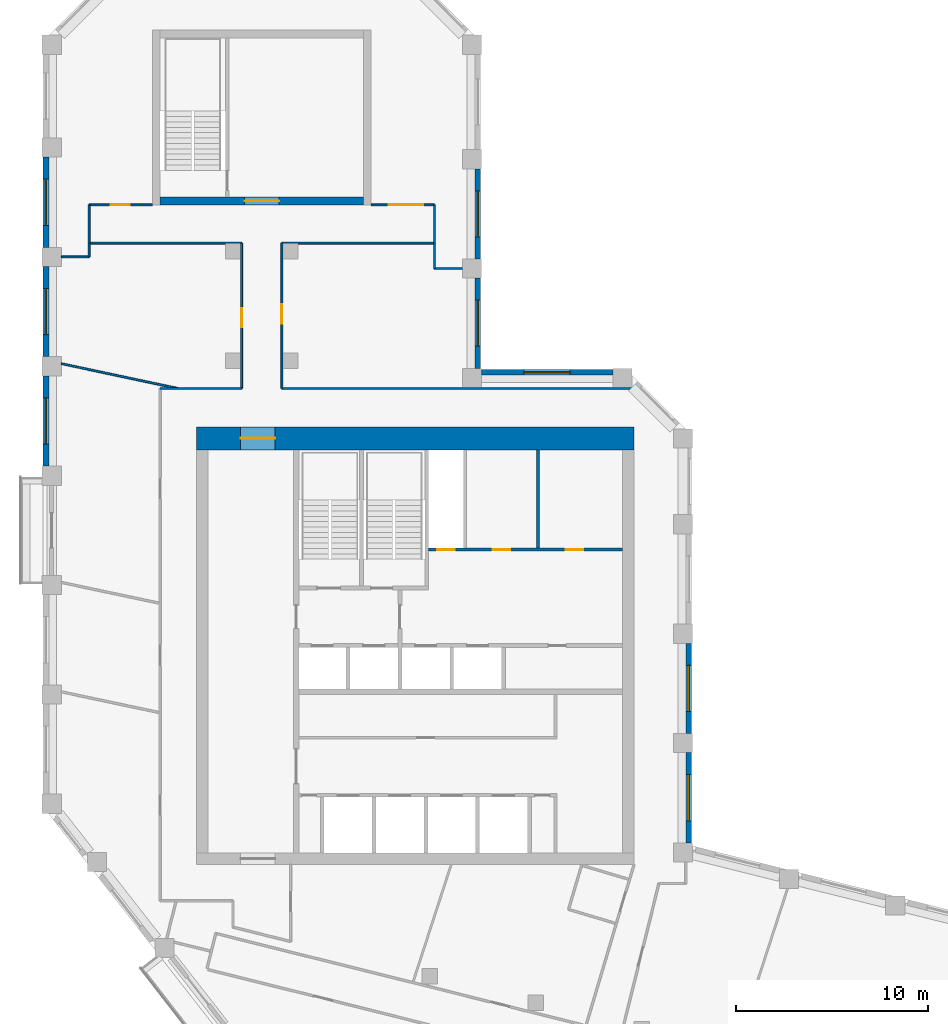
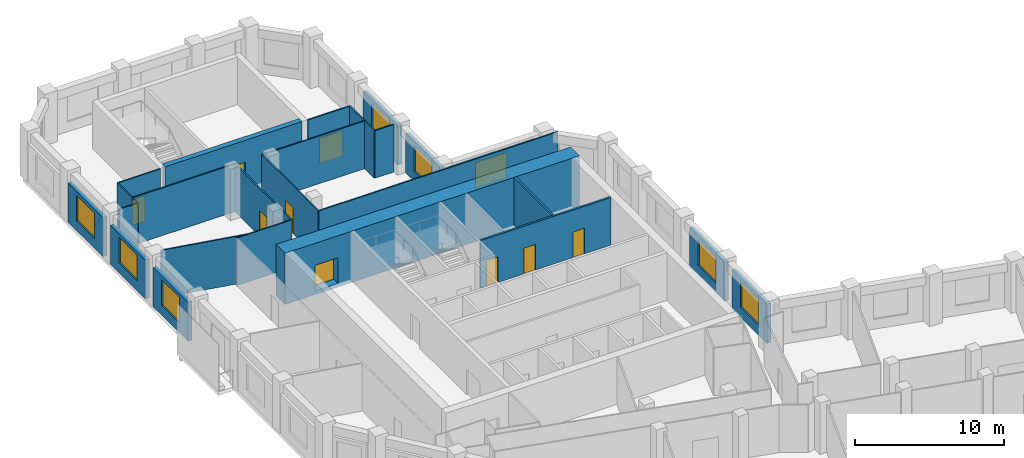
# One storey, part 6 of 9: 27 walls, 9 doors, 8 windows, 17 openings.
"""IFC4 building model written with IfcOpenShell, lengths in metres."""

import ifcopenshell
import ifcopenshell.guid

model = None  # the IFC model being written
_history = None  # IfcOwnerHistory: only IFC2X3 demands one
_inside = {}  # id of a spatial element -> (the spatial element, [elements in it])
_under = {}  # id of a project, library or spatial element -> (it, [spatial elements below it])
_declared = {}  # id of a project -> (the project, [libraries it declares])
_typed = {}  # id of a type object -> (the type object, [elements of that type])
_made_of = {}  # id of a material, layer set ... -> (it, [elements and type objects made of it])


def new_model(schema):
    """Start an empty IFC model of exactly this schema.

    Asked for "IFC4X3", IfcOpenShell would pick the latest addendum, in which some entities
    have other attributes; the version numbers below select the first issue.
    IFC2X3 requires an IfcOwnerHistory on every rooted entity: one is made here for all.
    """
    global model, _history
    if schema == "IFC4X3":
        model = ifcopenshell.file(schema_version=(4, 3, 0, 0))
    else:
        model = ifcopenshell.file(schema=schema)
    _inside.clear()
    _under.clear()
    _declared.clear()
    _typed.clear()
    _made_of.clear()
    _history = None
    if model.schema == "IFC2X3":
        org = make("IfcOrganization", Name="unknown")
        user = make(
            "IfcPersonAndOrganization",
            ThePerson=make("IfcPerson", FamilyName="unknown"),
            TheOrganization=org,
        )
        app = make(
            "IfcApplication",
            ApplicationDeveloper=org,
            Version="unknown",
            ApplicationFullName="unknown",
            ApplicationIdentifier="unknown",
        )
        _history = make(
            "IfcOwnerHistory",
            OwningUser=user,
            OwningApplication=app,
            ChangeAction="ADDED",
            CreationDate=0,
        )
    return model


def make(cls, **values):
    """One entity of the class cls with the attributes given. An attribute that is None is left unset."""
    return model.create_entity(
        cls, **{name: value for name, value in values.items() if value is not None}
    )


def rooted(cls, **values):
    """An entity with a GlobalId (a new one), such as an element, a storey or a relation."""
    return make(cls, GlobalId=ifcopenshell.guid.new(), OwnerHistory=_history, **values)


def si_unit(unit_type, name, prefix=None):
    """IfcSIUnit, for example si_unit("LENGTHUNIT", "METRE", prefix="MILLI")."""
    return make("IfcSIUnit", UnitType=unit_type, Prefix=prefix, Name=name)


def assignment(units):
    """IfcUnitAssignment: the units of a project."""
    return None if units is None else make("IfcUnitAssignment", Units=units)


def point(xyz):
    """IfcCartesianPoint."""
    return None if xyz is None else make("IfcCartesianPoint", Coordinates=xyz)


def direction(xyz):
    """IfcDirection."""
    return None if xyz is None else make("IfcDirection", DirectionRatios=xyz)


def frame(location, z_axis=None, x_axis=None):
    """IfcAxis2Placement3D, a coordinate frame: its origin and axes. An axis left out is left unset."""
    return make(
        "IfcAxis2Placement3D",
        Location=point(location),
        Axis=direction(z_axis),
        RefDirection=direction(x_axis),
    )


def frame_2d(location, x_axis=None):
    """IfcAxis2Placement2D, a coordinate frame in the plane: its origin and x axis."""
    return make(
        "IfcAxis2Placement2D", Location=point(location), RefDirection=direction(x_axis)
    )


def origin():
    """The frame at (0, 0, 0) with its axes left unset."""
    return frame((0.0, 0.0, 0.0))


def place(relative_to, where):
    """IfcLocalPlacement: puts the frame where relative to a parent placement (None: the world)."""
    return make(
        "IfcLocalPlacement", PlacementRelTo=relative_to, RelativePlacement=where
    )


def context(
    kind, dimensions, precision=None, world=None, true_north=None, identifier=None
):
    """IfcGeometricRepresentationContext, for example the 3D "Model" context."""
    return make(
        "IfcGeometricRepresentationContext",
        ContextIdentifier=identifier,
        ContextType=kind,
        CoordinateSpaceDimension=dimensions,
        Precision=precision,
        WorldCoordinateSystem=world,
        TrueNorth=true_north,
    )


def subcontext(parent, identifier, kind, view, scale=None):
    """IfcGeometricRepresentationSubContext, for example "Body" below "Model"."""
    return make(
        "IfcGeometricRepresentationSubContext",
        ContextIdentifier=identifier,
        ContextType=kind,
        ParentContext=parent,
        TargetScale=scale,
        TargetView=view,
    )


def project(units=None, contexts=None):
    """IfcProject with its units and contexts."""
    return rooted(
        "IfcProject",
        Name="project",
        RepresentationContexts=contexts,
        UnitsInContext=assignment(units),
    )


def spatial(cls, under=None, at=None, **own):
    """A site, building, storey or space (cls), placed at a placement, below another one or the project."""
    s = rooted(cls, ObjectPlacement=at, **own)
    if under is not None:
        _under.setdefault(under.id(), (under, []))[1].append(s)
    return s


def profile(cls, at=None, kind="AREA", **sizes):
    """A parametric profile (cls). Its sizes go by their IFC names, for example OverallWidth=200.0."""
    return make(cls, ProfileType=kind, Position=at, **sizes)


def rectangle(**sizes):
    """IfcRectangleProfileDef."""
    return profile("IfcRectangleProfileDef", **sizes)


def extrude(swept, where, along, depth):
    """IfcExtrudedAreaSolid: the profile swept, set in the frame where, extruded along a direction by depth."""
    return make(
        "IfcExtrudedAreaSolid",
        SweptArea=swept,
        Position=where,
        ExtrudedDirection=direction(along),
        Depth=depth,
    )


def shape(context_of_items, identifier, shape_type, items):
    """IfcShapeRepresentation: the items that make up one representation, for example the "Body"."""
    return make(
        "IfcShapeRepresentation",
        ContextOfItems=context_of_items,
        RepresentationIdentifier=identifier,
        RepresentationType=shape_type,
        Items=items,
    )


def material(Name=None, Category=None):
    """IfcMaterial."""
    return make("IfcMaterial", Name=Name, Category=Category)


def layer(
    of_material, thickness, ventilated=None, Name=None, Category=None, Priority=None
):
    """IfcMaterialLayer: one layer of a wall or slab, of a material (None: an air gap)."""
    return make(
        "IfcMaterialLayer",
        Material=of_material,
        LayerThickness=thickness,
        IsVentilated=ventilated,
        Name=Name,
        Category=Category,
        Priority=Priority,
    )


def layer_set(layers, Name=None):
    """IfcMaterialLayerSet."""
    return make("IfcMaterialLayerSet", MaterialLayers=layers, LayerSetName=Name)


def made_of(thing, what):
    """Note that an element or type object is made of a material, layer set ...; save() writes the relation."""
    if what is not None:
        _made_of.setdefault(what.id(), (what, []))[1].append(thing)
    return thing


def type_object(cls, material=None, **own):
    """A type object (cls), such as IfcWallType, which elements share."""
    return made_of(rooted(cls, **own), material)


def element(
    cls,
    number,
    at=None,
    inside=None,
    cuts=None,
    type_object=None,
    material=None,
    context=None,
    identifier="Body",
    shape_type=None,
    held_by="IfcProductDefinitionShape",
    body=None,
    shapes=None,
    **own,
):
    """One element of the class cls, such as IfcWall. Its Tag is "e" and its number.

    at: its placement. inside: the storey or other place that contains it. cuts: it is an
    opening in that element (IfcRelVoidsElement). A single representation is given by context,
    identifier, shape_type and body (its items); several are given by shapes. held_by: the class
    of the entity that holds the representations. save() writes the other relations.
    """
    e = rooted(cls, Tag="e%d" % number, ObjectPlacement=at, **own)
    if body is not None:
        shapes = [shape(context, identifier, shape_type, body)]
    if shapes is not None:
        e.Representation = make(held_by, Representations=shapes)
    if inside is not None:
        _inside.setdefault(inside.id(), (inside, []))[1].append(e)
    if cuts is not None:
        rooted(
            "IfcRelVoidsElement", RelatingBuildingElement=cuts, RelatedOpeningElement=e
        )
    if type_object is not None:
        _typed.setdefault(type_object.id(), (type_object, []))[1].append(e)
    return made_of(e, material)


def fill(opening, filler):
    """IfcRelFillsElement: the door or window that sits in an opening."""
    return rooted(
        "IfcRelFillsElement",
        RelatingOpeningElement=opening,
        RelatedBuildingElement=filler,
    )


def aggregate(whole, parts):
    """IfcRelAggregates: a whole, such as a stair, and the parts it consists of."""
    return rooted("IfcRelAggregates", RelatingObject=whole, RelatedObjects=parts)


def save(model, path):
    """Write the relations noted so far, then the file.

    IfcRelAggregates (storeys below a building ...), IfcRelContainedInSpatialStructure (elements
    in a storey), IfcRelDefinesByType, IfcRelAssociatesMaterial and IfcRelDeclares: one each for
    every whole, place, type object, material and project.
    """
    for whole, parts in _under.values():
        aggregate(whole, parts)
    for where, things in _inside.values():
        rooted(
            "IfcRelContainedInSpatialStructure",
            RelatedElements=things,
            RelatingStructure=where,
        )
    for kind, things in _typed.values():
        rooted("IfcRelDefinesByType", RelatedObjects=things, RelatingType=kind)
    for what, things in _made_of.values():
        rooted("IfcRelAssociatesMaterial", RelatedObjects=things, RelatingMaterial=what)
    for by, libraries in _declared.values():
        rooted("IfcRelDeclares", RelatingContext=by, RelatedDefinitions=libraries)
    model.write(path)


model = new_model("IFC4")

# Units and contexts
model_context = context("Model", 3, precision=1e-05, world=origin(), true_north=direction((0.0, 1.0)))
body_context = subcontext(model_context, "Body", "Model", "MODEL_VIEW")
ifc_project = project(units=[si_unit("LENGTHUNIT", "METRE"), si_unit("AREAUNIT", "SQUARE_METRE"), si_unit("VOLUMEUNIT", "CUBIC_METRE"), si_unit("PLANEANGLEUNIT", "RADIAN"), si_unit("MASSUNIT", "GRAM", prefix="KILO")], contexts=[model_context])

# Site, building, storey
site_placement = place(None, origin())
site = spatial("IfcSite", under=ifc_project, at=site_placement, CompositionType="ELEMENT")
building_placement = place(site_placement, origin())
building = spatial("IfcBuilding", under=site, at=building_placement, Name="Meshkara Civic Tower", CompositionType="ELEMENT")
storey_placement = place(building_placement, frame((0.0, 0.0, 331.800048828125)))
storey = spatial("IfcBuildingStorey", under=building, at=storey_placement, Name="L76", CompositionType="ELEMENT", Elevation=331.800048828125)

# Wall, openings, doors
ifc_material_1 = material(Name="Blockwork", Category="masonry")
ifc_layer_1 = layer(ifc_material_1, 0.14990234375)
ifc_layer_set_1 = layer_set([ifc_layer_1], Name="Core partition 150")
wall_type_1 = type_object("IfcWallType", Name="Core partition 150", PredefinedType="PARTITIONING", material=ifc_layer_set_1)
wall_1_placement = place(storey_placement, frame((20.10009765625, 30.5, 0.0), z_axis=(0.0, 0.0, 1.0), x_axis=(1.0, 0.0, 0.0)))
wall_1 = element("IfcWall", 1, at=wall_1_placement, inside=storey, type_object=wall_type_1, Name="L76-C010", PredefinedType="PARTITIONING", context=body_context, shape_type="SweptSolid", body=[
    extrude(rectangle(XDim=10.099853515625, YDim=0.14990234375, at=frame_2d((5.0498046875, 0.0))), origin(), (0.0, 0.0, 1.0), 3.89990234375),
])
opening_1_placement = place(wall_1_placement, frame((0.449951171875, 0.0, 0.0)))
opening_1 = element("IfcOpeningElement", 2, at=opening_1_placement, cuts=wall_1, Name="Opening L76-K013", PredefinedType="OPENING", context=body_context, shape_type="SweptSolid", body=[
    extrude(rectangle(XDim=0.89990234375, YDim=2.10009765625, at=frame_2d((0.449951171875, 1.050048828125))), frame((0.0, 0.0849609375, 0.0), z_axis=(0.0, -1.0, 0.0), x_axis=(1.0, 0.0, 0.0)), (0.0, 0.0, 1.0), 0.169921875),
])
opening_2_placement = place(wall_1_placement, frame((3.35009765625, 0.0, 0.0)))
opening_2 = element("IfcOpeningElement", 3, at=opening_2_placement, cuts=wall_1, Name="Opening L76-K014", PredefinedType="OPENING", context=body_context, shape_type="SweptSolid", body=[
    extrude(rectangle(XDim=0.89990234375, YDim=2.10009765625, at=frame_2d((0.449951171875, 1.050048828125))), frame((0.0, 0.0849609375, 0.0), z_axis=(0.0, -1.0, 0.0), x_axis=(1.0, 0.0, 0.0)), (0.0, 0.0, 1.0), 0.169921875),
])
opening_3_placement = place(wall_1_placement, frame((7.14990234375, 0.0, 0.0)))
opening_3 = element("IfcOpeningElement", 4, at=opening_3_placement, cuts=wall_1, Name="Opening L76-K015", PredefinedType="OPENING", context=body_context, shape_type="SweptSolid", body=[
    extrude(rectangle(XDim=0.89990234375, YDim=2.10009765625, at=frame_2d((0.449951171875, 1.050048828125))), frame((0.0, 0.0849609375, 0.0), z_axis=(0.0, -1.0, 0.0), x_axis=(1.0, 0.0, 0.0)), (0.0, 0.0, 1.0), 0.169921875),
])
ifc_material_2 = material(Name="Timber door leaf in steel frame", Category="steel")
door_type_1 = type_object("IfcDoorType", Name="Core room door 900", OperationType="SINGLE_SWING_LEFT", PredefinedType="DOOR", material=ifc_material_2)
door_1_placement = place(opening_2_placement, origin())
door_1 = element("IfcDoor", 5, at=door_1_placement, inside=storey, type_object=door_type_1, Name="L76-K014", OperationType="SINGLE_SWING_RIGHT", OverallHeight=2.10009765625, OverallWidth=0.89990234375, PredefinedType="DOOR", context=body_context, shape_type="SweptSolid", body=[
    extrude(rectangle(XDim=0.89990234375, YDim=2.10009765625, at=frame_2d((0.449951171875, 1.050048828125))), frame((0.0, 0.02490234375, 0.0), z_axis=(0.0, -1.0, 0.0), x_axis=(1.0, 0.0, 0.0)), (0.0, 0.0, 1.0), 0.050048828125),
])
fill(opening_2, door_1)
ifc_material_3 = material(Name="Fire-rated door leaf in steel frame", Category="steel")
door_type_2 = type_object("IfcDoorType", Name="Riser door 900", OperationType="SINGLE_SWING_LEFT", PredefinedType="DOOR", material=ifc_material_3)
door_2_placement = place(opening_1_placement, origin())
door_2 = element("IfcDoor", 6, at=door_2_placement, inside=storey, type_object=door_type_2, Name="L76-K013", OperationType="SINGLE_SWING_RIGHT", OverallHeight=2.10009765625, OverallWidth=0.89990234375, PredefinedType="DOOR", context=body_context, shape_type="SweptSolid", body=[
    extrude(rectangle(XDim=0.89990234375, YDim=2.10009765625, at=frame_2d((0.449951171875, 1.050048828125))), frame((0.0, 0.02490234375, 0.0), z_axis=(0.0, -1.0, 0.0), x_axis=(1.0, 0.0, 0.0)), (0.0, 0.0, 1.0), 0.050048828125),
])
fill(opening_1, door_2)
ifc_material_4 = material(Name="Timber door leaf in steel frame", Category="steel")
door_type_3 = type_object("IfcDoorType", Name="WC door 900", OperationType="SINGLE_SWING_LEFT", PredefinedType="DOOR", material=ifc_material_4)
door_3_placement = place(opening_3_placement, origin())
door_3 = element("IfcDoor", 7, at=door_3_placement, inside=storey, type_object=door_type_3, Name="L76-K015", OperationType="SINGLE_SWING_LEFT", OverallHeight=2.10009765625, OverallWidth=0.89990234375, PredefinedType="DOOR", context=body_context, shape_type="SweptSolid", body=[
    extrude(rectangle(XDim=0.89990234375, YDim=2.10009765625, at=frame_2d((0.449951171875, 1.050048828125))), frame((0.0, 0.02490234375, 0.0), z_axis=(0.0, -1.0, 0.0), x_axis=(1.0, 0.0, 0.0)), (0.0, 0.0, 1.0), 0.050048828125),
])
fill(opening_3, door_3)

# Wall
wall_2_placement = place(storey_placement, frame((25.800048828125, 30.574951171875, 0.0), z_axis=(0.0, 0.0, 1.0), x_axis=(0.0, 1.0, 0.0)))
element("IfcWall", 8, at=wall_2_placement, inside=storey, type_object=wall_type_1, Name="L76-C024", PredefinedType="PARTITIONING", context=body_context, shape_type="SweptSolid", body=[
    extrude(rectangle(XDim=5.125, YDim=0.14990234375, at=frame_2d((2.5625, 0.0))), origin(), (0.0, 0.0, 1.0), 3.89990234375),
])

# Wall, opening, door
ifc_material_5 = material(Name="Concrete C60", Category="concrete")
ifc_layer_2 = layer(ifc_material_5, 1.199951171875)
ifc_layer_set_2 = layer_set([ifc_layer_2], Name="Core ring wall 1200 C60")
wall_type_2 = type_object("IfcWallType", Name="Core ring wall 1200 C60", PredefinedType="SHEAR", material=ifc_layer_set_2)
wall_3_placement = place(storey_placement, frame((8.0, 36.300048828125, -0.300048828125), z_axis=(0.0, 0.0, 1.0), x_axis=(1.0, 0.0, 0.0)))
wall_3 = element("IfcWall", 9, at=wall_3_placement, inside=storey, type_object=wall_type_2, Name="L76-C002", PredefinedType="SHEAR", context=body_context, shape_type="SweptSolid", body=[
    extrude(rectangle(XDim=22.800048828125, YDim=1.199951171875, at=frame_2d((11.39990234375, 0.0))), origin(), (0.0, 0.0, 1.0), 4.199951171875),
])
opening_4_placement = place(wall_3_placement, frame((2.300048828125, 0.0, 0.300048828125)))
opening_4 = element("IfcOpeningElement", 10, at=opening_4_placement, cuts=wall_3, Name="Opening L76-K021", PredefinedType="OPENING", context=body_context, shape_type="SweptSolid", body=[
    extrude(rectangle(XDim=1.800048828125, YDim=2.10009765625, at=frame_2d((0.89990234375, 1.050048828125))), frame((0.0, 0.60986328125, 0.0), z_axis=(0.0, -1.0, 0.0), x_axis=(1.0, 0.0, 0.0)), (0.0, 0.0, 1.0), 1.219970703125),
])
ifc_material_6 = material(Name="Fire-rated door leaf in steel frame", Category="steel")
door_type_4 = type_object("IfcDoorType", Name="Core double door 1800 EI 60", OperationType="DOUBLE_DOOR_SINGLE_SWING", PredefinedType="DOOR", material=ifc_material_6)
door_4_placement = place(opening_4_placement, origin())
door_4 = element("IfcDoor", 11, at=door_4_placement, inside=storey, type_object=door_type_4, Name="L76-K021", OperationType="DOUBLE_DOOR_SINGLE_SWING", OverallHeight=2.10009765625, OverallWidth=1.800048828125, PredefinedType="DOOR", context=body_context, shape_type="SweptSolid", body=[
    extrude(rectangle(XDim=1.800048828125, YDim=2.10009765625, at=frame_2d((0.89990234375, 1.050048828125))), frame((0.0, 0.02490234375, 0.0), z_axis=(0.0, -1.0, 0.0), x_axis=(1.0, 0.0, 0.0)), (0.0, 0.0, 1.0), 0.050048828125),
])
fill(opening_4, door_4)

# Walls
ifc_material_7 = material(Name="Corridor wall 100")
ifc_layer_3 = layer(ifc_material_7, 0.10009765625)
ifc_layer_set_3 = layer_set([ifc_layer_3], Name="Corridor wall 100")
wall_type_3 = type_object("IfcWallType", Name="Corridor wall 100", PredefinedType="PARTITIONING", material=ifc_layer_set_3)
wall_4_placement = place(storey_placement, frame((2.39990234375, 46.469970703125, 0.0), z_axis=(0.0, 0.0, 1.0), x_axis=(1.0, 0.0, 0.0)))
element("IfcWall", 12, at=wall_4_placement, inside=storey, type_object=wall_type_3, Name="L76-W001", PredefinedType="PARTITIONING", context=body_context, shape_type="SweptSolid", body=[
    extrude(rectangle(XDim=7.9501953125, YDim=0.10009765625, at=frame_2d((3.97509765625, 0.0))), origin(), (0.0, 0.0, 1.0), 3.89990234375),
])
wall_5_placement = place(storey_placement, frame((2.39990234375, 48.469970703125, 0.0), z_axis=(0.0, 0.0, 1.0), x_axis=(0.0, -1.0, 0.0)))
element("IfcWall", 13, at=wall_5_placement, inside=storey, type_object=wall_type_3, Name="L76-W002", PredefinedType="PARTITIONING", context=body_context, shape_type="SweptSolid", body=[
    extrude(rectangle(XDim=2.0, YDim=0.10009765625, at=frame_2d((1.0, 0.0))), origin(), (0.0, 0.0, 1.0), 3.89990234375),
])

# Wall, opening, door
wall_6_placement = place(storey_placement, frame((5.699951171875, 48.469970703125, 0.0), z_axis=(0.0, 0.0, 1.0), x_axis=(-1.0, 0.0, 0.0)))
wall_6 = element("IfcWall", 14, at=wall_6_placement, inside=storey, type_object=wall_type_3, Name="L76-W003", PredefinedType="PARTITIONING", context=body_context, shape_type="SweptSolid", body=[
    extrude(rectangle(XDim=3.300048828125, YDim=0.10009765625, at=frame_2d((1.64990234375, 0.0))), origin(), (0.0, 0.0, 1.0), 3.89990234375),
])
opening_5_placement = place(wall_6_placement, frame((1.179931640625, 0.0, 0.0)))
opening_5 = element("IfcOpeningElement", 15, at=opening_5_placement, cuts=wall_6, Name="Opening L76-D019", PredefinedType="OPENING", context=body_context, shape_type="SweptSolid", body=[
    extrude(rectangle(XDim=1.0, YDim=2.10009765625, at=frame_2d((0.5, 1.050048828125))), frame((0.0, 0.06005859375, 0.0), z_axis=(0.0, -1.0, 0.0), x_axis=(1.0, 0.0, 0.0)), (0.0, 0.0, 1.0), 0.1201171875),
])
ifc_material_8 = material(Name="Door 1000 x 2100")
door_type_5 = type_object("IfcDoorType", Name="Door 1000 x 2100", OperationType="SINGLE_SWING_LEFT", PredefinedType="DOOR", material=ifc_material_8)
door_5_placement = place(opening_5_placement, origin())
door_5 = element("IfcDoor", 16, at=door_5_placement, inside=storey, type_object=door_type_5, Name="L76-D019", OperationType="SINGLE_SWING_LEFT", OverallHeight=2.10009765625, OverallWidth=1.0, PredefinedType="DOOR", context=body_context, shape_type="SweptSolid", body=[
    extrude(rectangle(XDim=1.0, YDim=2.10009765625, at=frame_2d((0.5, 1.050048828125))), frame((0.0, 0.02490234375, 0.0), z_axis=(0.0, -1.0, 0.0), x_axis=(1.0, 0.0, 0.0)), (0.0, 0.0, 1.0), 0.050048828125),
])
fill(opening_5, door_5)

# Wall
wall_7_placement = place(storey_placement, frame((10.35009765625, 38.89990234375, 0.0), z_axis=(0.0, 0.0, 1.0), x_axis=(-1.0, 0.0, 0.0)))
element("IfcWall", 17, at=wall_7_placement, inside=storey, type_object=wall_type_3, Name="L76-W011", PredefinedType="PARTITIONING", context=body_context, shape_type="SweptSolid", body=[
    extrude(rectangle(XDim=4.25, YDim=0.10009765625, at=frame_2d((2.125, 0.0))), origin(), (0.0, 0.0, 1.0), 3.89990234375),
])

# Wall, opening, door
wall_8_placement = place(storey_placement, frame((10.35009765625, 46.469970703125, 0.0), z_axis=(0.0, 0.0, 1.0), x_axis=(0.0, -1.0, 0.0)))
wall_8 = element("IfcWall", 18, at=wall_8_placement, inside=storey, type_object=wall_type_3, Name="L76-W012", PredefinedType="PARTITIONING", context=body_context, shape_type="SweptSolid", body=[
    extrude(rectangle(XDim=7.570068359375, YDim=0.10009765625, at=frame_2d((3.78515625, 0.0))), origin(), (0.0, 0.0, 1.0), 3.89990234375),
])
opening_6_placement = place(wall_8_placement, frame((3.3798828125, 0.0, 0.0)))
opening_6 = element("IfcOpeningElement", 19, at=opening_6_placement, cuts=wall_8, Name="Opening L76-D017", PredefinedType="OPENING", context=body_context, shape_type="SweptSolid", body=[
    extrude(rectangle(XDim=1.0, YDim=2.10009765625, at=frame_2d((0.5, 1.050048828125))), frame((0.0, 0.06005859375, 0.0), z_axis=(0.0, -1.0, 0.0), x_axis=(1.0, 0.0, 0.0)), (0.0, 0.0, 1.0), 0.1201171875),
])
door_6_placement = place(opening_6_placement, origin())
door_6 = element("IfcDoor", 20, at=door_6_placement, inside=storey, type_object=door_type_5, Name="L76-D017", OperationType="SINGLE_SWING_LEFT", OverallHeight=2.10009765625, OverallWidth=1.0, PredefinedType="DOOR", context=body_context, shape_type="SweptSolid", body=[
    extrude(rectangle(XDim=1.0, YDim=2.10009765625, at=frame_2d((0.5, 1.050048828125))), frame((0.0, 0.02490234375, 0.0), z_axis=(0.0, -1.0, 0.0), x_axis=(1.0, 0.0, 0.0)), (0.0, 0.0, 1.0), 0.050048828125),
])
fill(opening_6, door_6)

wall_9_placement = place(storey_placement, frame((12.449951171875, 38.89990234375, 0.0), z_axis=(0.0, 0.0, 1.0), x_axis=(0.0, 1.0, 0.0)))
wall_9 = element("IfcWall", 21, at=wall_9_placement, inside=storey, type_object=wall_type_3, Name="L76-W013", PredefinedType="PARTITIONING", context=body_context, shape_type="SweptSolid", body=[
    extrude(rectangle(XDim=7.570068359375, YDim=0.10009765625, at=frame_2d((3.78515625, 0.0))), origin(), (0.0, 0.0, 1.0), 3.89990234375),
])
opening_7_placement = place(wall_9_placement, frame((3.3798828125, 0.0, 0.0)))
opening_7 = element("IfcOpeningElement", 22, at=opening_7_placement, cuts=wall_9, Name="Opening L76-D018", PredefinedType="OPENING", context=body_context, shape_type="SweptSolid", body=[
    extrude(rectangle(XDim=1.0, YDim=2.10009765625, at=frame_2d((0.5, 1.050048828125))), frame((0.0, 0.06005859375, 0.0), z_axis=(0.0, -1.0, 0.0), x_axis=(1.0, 0.0, 0.0)), (0.0, 0.0, 1.0), 0.1201171875),
])
door_7_placement = place(opening_7_placement, origin())
door_7 = element("IfcDoor", 23, at=door_7_placement, inside=storey, type_object=door_type_5, Name="L76-D018", OperationType="SINGLE_SWING_LEFT", OverallHeight=2.10009765625, OverallWidth=1.0, PredefinedType="DOOR", context=body_context, shape_type="SweptSolid", body=[
    extrude(rectangle(XDim=1.0, YDim=2.10009765625, at=frame_2d((0.5, 1.050048828125))), frame((0.0, 0.02490234375, 0.0), z_axis=(0.0, -1.0, 0.0), x_axis=(1.0, 0.0, 0.0)), (0.0, 0.0, 1.0), 0.050048828125),
])
fill(opening_7, door_7)

# Walls
wall_10_placement = place(storey_placement, frame((12.449951171875, 46.469970703125, 0.0), z_axis=(0.0, 0.0, 1.0), x_axis=(1.0, 0.0, 0.0)))
element("IfcWall", 24, at=wall_10_placement, inside=storey, type_object=wall_type_3, Name="L76-W014", PredefinedType="PARTITIONING", context=body_context, shape_type="SweptSolid", body=[
    extrude(rectangle(XDim=7.949951171875, YDim=0.10009765625, at=frame_2d((3.97509765625, 0.0))), origin(), (0.0, 0.0, 1.0), 3.89990234375),
])
wall_11_placement = place(storey_placement, frame((20.39990234375, 46.469970703125, 0.0), z_axis=(0.0, 0.0, 1.0), x_axis=(0.0, 1.0, 0.0)))
element("IfcWall", 25, at=wall_11_placement, inside=storey, type_object=wall_type_3, Name="L76-W016", PredefinedType="PARTITIONING", context=body_context, shape_type="SweptSolid", body=[
    extrude(rectangle(XDim=2.0, YDim=0.10009765625, at=frame_2d((1.0, 0.0))), origin(), (0.0, 0.0, 1.0), 3.89990234375),
])

# Wall, opening, door
wall_12_placement = place(storey_placement, frame((20.39990234375, 48.469970703125, 0.0), z_axis=(0.0, 0.0, 1.0), x_axis=(-1.0, 0.0, 0.0)))
wall_12 = element("IfcWall", 26, at=wall_12_placement, inside=storey, type_object=wall_type_3, Name="L76-W017", PredefinedType="PARTITIONING", context=body_context, shape_type="SweptSolid", body=[
    extrude(rectangle(XDim=3.2998046875, YDim=0.10009765625, at=frame_2d((1.64990234375, 0.0))), origin(), (0.0, 0.0, 1.0), 3.89990234375),
])
opening_8_placement = place(wall_12_placement, frame((0.580078125, 0.0, 0.0)))
opening_8 = element("IfcOpeningElement", 27, at=opening_8_placement, cuts=wall_12, Name="Opening L76-D020", PredefinedType="OPENING", context=body_context, shape_type="SweptSolid", body=[
    extrude(rectangle(XDim=1.800048828125, YDim=2.10009765625, at=frame_2d((0.89990234375, 1.050048828125))), frame((0.0, 0.06005859375, 0.0), z_axis=(0.0, -1.0, 0.0), x_axis=(1.0, 0.0, 0.0)), (0.0, 0.0, 1.0), 0.1201171875),
])
ifc_material_9 = material(Name="Door pair 1800 x 2100")
door_type_6 = type_object("IfcDoorType", Name="Door pair 1800 x 2100", OperationType="SINGLE_SWING_LEFT", PredefinedType="DOOR", material=ifc_material_9)
door_8_placement = place(opening_8_placement, origin())
door_8 = element("IfcDoor", 28, at=door_8_placement, inside=storey, type_object=door_type_6, Name="L76-D020", OperationType="DOUBLE_DOOR_SINGLE_SWING", OverallHeight=2.10009765625, OverallWidth=1.800048828125, PredefinedType="DOOR", context=body_context, shape_type="SweptSolid", body=[
    extrude(rectangle(XDim=1.800048828125, YDim=2.10009765625, at=frame_2d((0.89990234375, 1.050048828125))), frame((0.0, 0.02490234375, 0.0), z_axis=(0.0, -1.0, 0.0), x_axis=(1.0, 0.0, 0.0)), (0.0, 0.0, 1.0), 0.050048828125),
])
fill(opening_8, door_8)

# Wall
wall_13_placement = place(storey_placement, frame((30.9560546875, 38.89990234375, 0.0), z_axis=(0.0, 0.0, 1.0), x_axis=(-1.0, 0.0, 0.0)))
element("IfcWall", 29, at=wall_13_placement, inside=storey, type_object=wall_type_3, Name="L76-W024", PredefinedType="PARTITIONING", context=body_context, shape_type="SweptSolid", body=[
    extrude(rectangle(XDim=18.506103515625, YDim=0.10009765625, at=frame_2d((9.2529296875, 0.0))), origin(), (0.0, 0.0, 1.0), 3.89990234375),
])

# Wall, opening, window
ifc_material_10 = material(Name="Insulated infill panel with bronze anodised aluminium cladding", Category="aluminium")
ifc_layer_4 = layer(ifc_material_10, 0.300048828125)
ifc_layer_set_4 = layer_set([ifc_layer_4], Name="EXTERNAL INFILL WALL 300")
wall_type_4 = type_object("IfcWallType", Name="EXTERNAL INFILL WALL 300", PredefinedType="SOLIDWALL", material=ifc_layer_set_4)
wall_14_placement = place(storey_placement, frame((33.64990234375, 15.218994140625, 0.0), z_axis=(0.0, 0.0, 1.0), x_axis=(0.0, 1.0, 0.0)))
wall_14 = element("IfcWall", 30, at=wall_14_placement, inside=storey, type_object=wall_type_4, Name="External wall", PredefinedType="SOLIDWALL", context=body_context, shape_type="SweptSolid", body=[
    extrude(rectangle(XDim=4.699951171875, YDim=0.300048828125, at=frame_2d((2.35009765625, 0.0))), origin(), (0.0, 0.0, 1.0), 3.199951171875),
])
opening_9_placement = place(wall_14_placement, frame((1.14990234375, 0.0, 0.800048828125)))
opening_9 = element("IfcOpeningElement", 31, at=opening_9_placement, cuts=wall_14, Name="Opening W7", PredefinedType="OPENING", context=body_context, shape_type="SweptSolid", body=[
    extrude(rectangle(XDim=2.39990234375, YDim=2.10009765625, at=frame_2d((1.199951171875, 1.050048828125))), frame((0.0, 0.159912109375, 0.0), z_axis=(0.0, -1.0, 0.0), x_axis=(1.0, 0.0, 0.0)), (0.0, 0.0, 1.0), 0.320068359375),
])
ifc_material_11 = material(Name="Tinted double glazing", Category="glass")
window_type = type_object("IfcWindowType", Name="WINDOW 2400x2100", PartitioningType="DOUBLE_PANEL_VERTICAL", PredefinedType="WINDOW", material=ifc_material_11)
window_1_placement = place(opening_9_placement, origin())
window_1 = element("IfcWindow", 32, at=window_1_placement, inside=storey, type_object=window_type, Name="Window", OverallHeight=2.10009765625, OverallWidth=2.39990234375, PartitioningType="DOUBLE_PANEL_VERTICAL", PredefinedType="WINDOW", context=body_context, shape_type="SweptSolid", body=[
    extrude(rectangle(XDim=2.39990234375, YDim=2.10009765625, at=frame_2d((1.199951171875, 1.050048828125))), frame((0.0, 0.030029296875, 0.0), z_axis=(0.0, -1.0, 0.0), x_axis=(1.0, 0.0, 0.0)), (0.0, 0.0, 1.0), 0.06005859375),
])
fill(opening_9, window_1)

wall_15_placement = place(storey_placement, frame((33.64990234375, 20.9189453125, 0.0), z_axis=(0.0, 0.0, 1.0), x_axis=(0.0, 1.0, 0.0)))
wall_15 = element("IfcWall", 33, at=wall_15_placement, inside=storey, type_object=wall_type_4, Name="External wall", PredefinedType="SOLIDWALL", context=body_context, shape_type="SweptSolid", body=[
    extrude(rectangle(XDim=4.699951171875, YDim=0.300048828125, at=frame_2d((2.35009765625, 0.0))), origin(), (0.0, 0.0, 1.0), 3.199951171875),
])
opening_10_placement = place(wall_15_placement, frame((1.14990234375, 0.0, 0.800048828125)))
opening_10 = element("IfcOpeningElement", 34, at=opening_10_placement, cuts=wall_15, Name="Opening W7", PredefinedType="OPENING", context=body_context, shape_type="SweptSolid", body=[
    extrude(rectangle(XDim=2.39990234375, YDim=2.10009765625, at=frame_2d((1.199951171875, 1.050048828125))), frame((0.0, 0.159912109375, 0.0), z_axis=(0.0, -1.0, 0.0), x_axis=(1.0, 0.0, 0.0)), (0.0, 0.0, 1.0), 0.320068359375),
])
window_2_placement = place(opening_10_placement, origin())
window_2 = element("IfcWindow", 35, at=window_2_placement, inside=storey, type_object=window_type, Name="Window", OverallHeight=2.10009765625, OverallWidth=2.39990234375, PartitioningType="DOUBLE_PANEL_VERTICAL", PredefinedType="WINDOW", context=body_context, shape_type="SweptSolid", body=[
    extrude(rectangle(XDim=2.39990234375, YDim=2.10009765625, at=frame_2d((1.199951171875, 1.050048828125))), frame((0.0, 0.030029296875, 0.0), z_axis=(0.0, -1.0, 0.0), x_axis=(1.0, 0.0, 0.0)), (0.0, 0.0, 1.0), 0.06005859375),
])
fill(opening_10, window_2)

wall_16_placement = place(storey_placement, frame((29.694091796875, 39.75, 0.0), z_axis=(0.0, 0.0, 1.0), x_axis=(-1.0, 0.0, 0.0)))
wall_16 = element("IfcWall", 36, at=wall_16_placement, inside=storey, type_object=wall_type_4, Name="External wall", PredefinedType="SOLIDWALL", context=body_context, shape_type="SweptSolid", body=[
    extrude(rectangle(XDim=6.843994140625, YDim=0.300048828125, at=frame_2d((3.421875, 0.0))), origin(), (0.0, 0.0, 1.0), 3.199951171875),
])
opening_11_placement = place(wall_16_placement, frame((2.221923828125, 0.0, 0.800048828125)))
opening_11 = element("IfcOpeningElement", 37, at=opening_11_placement, cuts=wall_16, Name="Opening W7", PredefinedType="OPENING", context=body_context, shape_type="SweptSolid", body=[
    extrude(rectangle(XDim=2.39990234375, YDim=2.10009765625, at=frame_2d((1.199951171875, 1.050048828125))), frame((0.0, 0.159912109375, 0.0), z_axis=(0.0, -1.0, 0.0), x_axis=(1.0, 0.0, 0.0)), (0.0, 0.0, 1.0), 0.320068359375),
])
window_3_placement = place(opening_11_placement, origin())
window_3 = element("IfcWindow", 38, at=window_3_placement, inside=storey, type_object=window_type, Name="Window", OverallHeight=2.10009765625, OverallWidth=2.39990234375, PartitioningType="DOUBLE_PANEL_VERTICAL", PredefinedType="WINDOW", context=body_context, shape_type="SweptSolid", body=[
    extrude(rectangle(XDim=2.39990234375, YDim=2.10009765625, at=frame_2d((1.199951171875, 1.050048828125))), frame((0.0, 0.030029296875, 0.0), z_axis=(0.0, -1.0, 0.0), x_axis=(1.0, 0.0, 0.0)), (0.0, 0.0, 1.0), 0.06005859375),
])
fill(opening_11, window_3)

wall_17_placement = place(storey_placement, frame((22.64990234375, 39.949951171875, 0.0), z_axis=(0.0, 0.0, 1.0), x_axis=(0.0, 1.0, 0.0)))
wall_17 = element("IfcWall", 39, at=wall_17_placement, inside=storey, type_object=wall_type_4, Name="External wall", PredefinedType="SOLIDWALL", context=body_context, shape_type="SweptSolid", body=[
    extrude(rectangle(XDim=4.699951171875, YDim=0.300048828125, at=frame_2d((2.35009765625, 0.0))), origin(), (0.0, 0.0, 1.0), 3.199951171875),
])
opening_12_placement = place(wall_17_placement, frame((1.14990234375, 0.0, 0.800048828125)))
opening_12 = element("IfcOpeningElement", 40, at=opening_12_placement, cuts=wall_17, Name="Opening W7", PredefinedType="OPENING", context=body_context, shape_type="SweptSolid", body=[
    extrude(rectangle(XDim=2.39990234375, YDim=2.10009765625, at=frame_2d((1.199951171875, 1.050048828125))), frame((0.0, 0.159912109375, 0.0), z_axis=(0.0, -1.0, 0.0), x_axis=(1.0, 0.0, 0.0)), (0.0, 0.0, 1.0), 0.320068359375),
])
window_4_placement = place(opening_12_placement, origin())
window_4 = element("IfcWindow", 41, at=window_4_placement, inside=storey, type_object=window_type, Name="Window", OverallHeight=2.10009765625, OverallWidth=2.39990234375, PartitioningType="DOUBLE_PANEL_VERTICAL", PredefinedType="WINDOW", context=body_context, shape_type="SweptSolid", body=[
    extrude(rectangle(XDim=2.39990234375, YDim=2.10009765625, at=frame_2d((1.199951171875, 1.050048828125))), frame((0.0, 0.030029296875, 0.0), z_axis=(0.0, -1.0, 0.0), x_axis=(1.0, 0.0, 0.0)), (0.0, 0.0, 1.0), 0.06005859375),
])
fill(opening_12, window_4)

wall_18_placement = place(storey_placement, frame((22.64990234375, 45.64990234375, 0.0), z_axis=(0.0, 0.0, 1.0), x_axis=(0.0, 1.0, 0.0)))
wall_18 = element("IfcWall", 42, at=wall_18_placement, inside=storey, type_object=wall_type_4, Name="External wall", PredefinedType="SOLIDWALL", context=body_context, shape_type="SweptSolid", body=[
    extrude(rectangle(XDim=4.7001953125, YDim=0.300048828125, at=frame_2d((2.35009765625, 0.0))), origin(), (0.0, 0.0, 1.0), 3.199951171875),
])
opening_13_placement = place(wall_18_placement, frame((1.14990234375, 0.0, 0.800048828125)))
opening_13 = element("IfcOpeningElement", 43, at=opening_13_placement, cuts=wall_18, Name="Opening W7", PredefinedType="OPENING", context=body_context, shape_type="SweptSolid", body=[
    extrude(rectangle(XDim=2.39990234375, YDim=2.10009765625, at=frame_2d((1.199951171875, 1.050048828125))), frame((0.0, 0.159912109375, 0.0), z_axis=(0.0, -1.0, 0.0), x_axis=(1.0, 0.0, 0.0)), (0.0, 0.0, 1.0), 0.320068359375),
])
window_5_placement = place(opening_13_placement, origin())
window_5 = element("IfcWindow", 44, at=window_5_placement, inside=storey, type_object=window_type, Name="Window", OverallHeight=2.10009765625, OverallWidth=2.39990234375, PartitioningType="DOUBLE_PANEL_VERTICAL", PredefinedType="WINDOW", context=body_context, shape_type="SweptSolid", body=[
    extrude(rectangle(XDim=2.39990234375, YDim=2.10009765625, at=frame_2d((1.199951171875, 1.050048828125))), frame((0.0, 0.030029296875, 0.0), z_axis=(0.0, -1.0, 0.0), x_axis=(1.0, 0.0, 0.0)), (0.0, 0.0, 1.0), 0.06005859375),
])
fill(opening_13, window_5)

wall_19_placement = place(storey_placement, frame((0.14990234375, 50.955078125, 0.0), z_axis=(0.0, 0.0, 1.0), x_axis=(0.0, -1.0, 0.0)))
wall_19 = element("IfcWall", 45, at=wall_19_placement, inside=storey, type_object=wall_type_4, Name="External wall", PredefinedType="SOLIDWALL", context=body_context, shape_type="SweptSolid", body=[
    extrude(rectangle(XDim=4.7001953125, YDim=0.300048828125, at=frame_2d((2.35009765625, 0.0))), origin(), (0.0, 0.0, 1.0), 3.199951171875),
])
opening_14_placement = place(wall_19_placement, frame((1.14990234375, 0.0, 0.800048828125)))
opening_14 = element("IfcOpeningElement", 46, at=opening_14_placement, cuts=wall_19, Name="Opening W7", PredefinedType="OPENING", context=body_context, shape_type="SweptSolid", body=[
    extrude(rectangle(XDim=2.39990234375, YDim=2.10009765625, at=frame_2d((1.199951171875, 1.050048828125))), frame((0.0, 0.159912109375, 0.0), z_axis=(0.0, -1.0, 0.0), x_axis=(1.0, 0.0, 0.0)), (0.0, 0.0, 1.0), 0.320068359375),
])
window_6_placement = place(opening_14_placement, origin())
window_6 = element("IfcWindow", 47, at=window_6_placement, inside=storey, type_object=window_type, Name="Window", OverallHeight=2.10009765625, OverallWidth=2.39990234375, PartitioningType="DOUBLE_PANEL_VERTICAL", PredefinedType="WINDOW", context=body_context, shape_type="SweptSolid", body=[
    extrude(rectangle(XDim=2.39990234375, YDim=2.10009765625, at=frame_2d((1.199951171875, 1.050048828125))), frame((0.0, 0.030029296875, 0.0), z_axis=(0.0, -1.0, 0.0), x_axis=(1.0, 0.0, 0.0)), (0.0, 0.0, 1.0), 0.06005859375),
])
fill(opening_14, window_6)

wall_20_placement = place(storey_placement, frame((0.14990234375, 45.2548828125, 0.0), z_axis=(0.0, 0.0, 1.0), x_axis=(0.0, -1.0, 0.0)))
wall_20 = element("IfcWall", 48, at=wall_20_placement, inside=storey, type_object=wall_type_4, Name="External wall", PredefinedType="SOLIDWALL", context=body_context, shape_type="SweptSolid", body=[
    extrude(rectangle(XDim=4.699951171875, YDim=0.300048828125, at=frame_2d((2.35009765625, 0.0))), origin(), (0.0, 0.0, 1.0), 3.199951171875),
])
opening_15_placement = place(wall_20_placement, frame((1.14990234375, 0.0, 0.800048828125)))
opening_15 = element("IfcOpeningElement", 49, at=opening_15_placement, cuts=wall_20, Name="Opening W7", PredefinedType="OPENING", context=body_context, shape_type="SweptSolid", body=[
    extrude(rectangle(XDim=2.39990234375, YDim=2.10009765625, at=frame_2d((1.199951171875, 1.050048828125))), frame((0.0, 0.159912109375, 0.0), z_axis=(0.0, -1.0, 0.0), x_axis=(1.0, 0.0, 0.0)), (0.0, 0.0, 1.0), 0.320068359375),
])
window_7_placement = place(opening_15_placement, origin())
window_7 = element("IfcWindow", 50, at=window_7_placement, inside=storey, type_object=window_type, Name="Window", OverallHeight=2.10009765625, OverallWidth=2.39990234375, PartitioningType="DOUBLE_PANEL_VERTICAL", PredefinedType="WINDOW", context=body_context, shape_type="SweptSolid", body=[
    extrude(rectangle(XDim=2.39990234375, YDim=2.10009765625, at=frame_2d((1.199951171875, 1.050048828125))), frame((0.0, 0.030029296875, 0.0), z_axis=(0.0, -1.0, 0.0), x_axis=(1.0, 0.0, 0.0)), (0.0, 0.0, 1.0), 0.06005859375),
])
fill(opening_15, window_7)

wall_21_placement = place(storey_placement, frame((0.14990234375, 39.554931640625, 0.0), z_axis=(0.0, 0.0, 1.0), x_axis=(0.0, -1.0, 0.0)))
wall_21 = element("IfcWall", 51, at=wall_21_placement, inside=storey, type_object=wall_type_4, Name="External wall", PredefinedType="SOLIDWALL", context=body_context, shape_type="SweptSolid", body=[
    extrude(rectangle(XDim=4.699951171875, YDim=0.300048828125, at=frame_2d((2.35009765625, 0.0))), origin(), (0.0, 0.0, 1.0), 3.199951171875),
])
opening_16_placement = place(wall_21_placement, frame((1.14990234375, 0.0, 0.800048828125)))
opening_16 = element("IfcOpeningElement", 52, at=opening_16_placement, cuts=wall_21, Name="Opening W7", PredefinedType="OPENING", context=body_context, shape_type="SweptSolid", body=[
    extrude(rectangle(XDim=2.39990234375, YDim=2.10009765625, at=frame_2d((1.199951171875, 1.050048828125))), frame((0.0, 0.159912109375, 0.0), z_axis=(0.0, -1.0, 0.0), x_axis=(1.0, 0.0, 0.0)), (0.0, 0.0, 1.0), 0.320068359375),
])
window_8_placement = place(opening_16_placement, origin())
window_8 = element("IfcWindow", 53, at=window_8_placement, inside=storey, type_object=window_type, Name="Window", OverallHeight=2.10009765625, OverallWidth=2.39990234375, PartitioningType="DOUBLE_PANEL_VERTICAL", PredefinedType="WINDOW", context=body_context, shape_type="SweptSolid", body=[
    extrude(rectangle(XDim=2.39990234375, YDim=2.10009765625, at=frame_2d((1.199951171875, 1.050048828125))), frame((0.0, 0.030029296875, 0.0), z_axis=(0.0, -1.0, 0.0), x_axis=(1.0, 0.0, 0.0)), (0.0, 0.0, 1.0), 0.06005859375),
])
fill(opening_16, window_8)

# Wall, opening, door
ifc_material_12 = material(Name="Concrete C60", Category="concrete")
ifc_layer_5 = layer(ifc_material_12, 0.39990234375)
ifc_layer_set_5 = layer_set([ifc_layer_5], Name="End core ring wall 400 C60")
wall_type_5 = type_object("IfcWallType", Name="End core ring wall 400 C60", PredefinedType="SHEAR", material=ifc_layer_set_5)
wall_22_placement = place(storey_placement, frame((6.10009765625, 48.669921875, -0.300048828125), z_axis=(0.0, 0.0, 1.0), x_axis=(1.0, 0.0, 0.0)))
wall_22 = element("IfcWall", 54, at=wall_22_placement, inside=storey, type_object=wall_type_5, Name="L76-C029", PredefinedType="SHEAR", context=body_context, shape_type="SweptSolid", body=[
    extrude(rectangle(XDim=10.599853515625, YDim=0.39990234375, at=frame_2d((5.2998046875, 0.0))), origin(), (0.0, 0.0, 1.0), 4.199951171875),
])
opening_17_placement = place(wall_22_placement, frame((4.39990234375, 0.0, 0.300048828125)))
opening_17 = element("IfcOpeningElement", 55, at=opening_17_placement, cuts=wall_22, Name="Opening L76-K102", PredefinedType="OPENING", context=body_context, shape_type="SweptSolid", body=[
    extrude(rectangle(XDim=1.800048828125, YDim=2.10009765625, at=frame_2d((0.89990234375, 1.050048828125))), frame((0.0, 0.2099609375, 0.0), z_axis=(0.0, -1.0, 0.0), x_axis=(1.0, 0.0, 0.0)), (0.0, 0.0, 1.0), 0.419921875),
])
door_9_placement = place(opening_17_placement, origin())
door_9 = element("IfcDoor", 56, at=door_9_placement, inside=storey, type_object=door_type_4, Name="L76-K102", OperationType="DOUBLE_DOOR_SINGLE_SWING", OverallHeight=2.10009765625, OverallWidth=1.800048828125, PredefinedType="DOOR", context=body_context, shape_type="SweptSolid", body=[
    extrude(rectangle(XDim=1.800048828125, YDim=2.10009765625, at=frame_2d((0.89990234375, 1.050048828125))), frame((0.0, 0.02490234375, 0.0), z_axis=(0.0, -1.0, 0.0), x_axis=(1.0, 0.0, 0.0)), (0.0, 0.0, 1.0), 0.050048828125),
])
fill(opening_17, door_9)

# Walls
ifc_material_13 = material(Name="Partition 100")
ifc_layer_6 = layer(ifc_material_13, 0.10009765625)
ifc_layer_set_6 = layer_set([ifc_layer_6], Name="Partition 100")
wall_type_6 = type_object("IfcWallType", Name="Partition 100", PredefinedType="PARTITIONING", material=ifc_layer_set_6)
wall_23_placement = place(storey_placement, frame((2.39990234375, 45.7548828125, 0.0), z_axis=(0.0, 0.0, 1.0), x_axis=(-1.0, 0.0, 0.0)))
element("IfcWall", 57, at=wall_23_placement, inside=storey, type_object=wall_type_6, Name="L76-W041", PredefinedType="PARTITIONING", context=body_context, shape_type="SweptSolid", body=[
    extrude(rectangle(XDim=1.449951171875, YDim=0.10009765625, at=frame_2d((0.72509765625, 0.0))), origin(), (0.0, 0.0, 1.0), 3.89990234375),
])
wall_24_placement = place(storey_placement, frame((2.39990234375, 46.47412109375, 0.0), z_axis=(0.0, 0.0, 1.0), x_axis=(0.0, -1.0, 0.0)))
element("IfcWall", 58, at=wall_24_placement, inside=storey, type_object=wall_type_6, Name="L76-W042", PredefinedType="PARTITIONING", context=body_context, shape_type="SweptSolid", body=[
    extrude(rectangle(XDim=0.71923828125, YDim=0.10009765625, at=frame_2d((0.359619140625, 0.0))), origin(), (0.0, 0.0, 1.0), 3.89990234375),
])
wall_25_placement = place(storey_placement, frame((7.034912109375, 38.89990234375, 0.0), z_axis=(0.0, 0.0, 1.0), x_axis=(-0.978121732608, 0.208033353577, 0.0)))
element("IfcWall", 59, at=wall_25_placement, inside=storey, type_object=wall_type_6, Name="L76-W046", PredefinedType="PARTITIONING", context=body_context, shape_type="SweptSolid", body=[
    extrude(rectangle(XDim=6.220947265625, YDim=0.10009765625, at=frame_2d((3.1103515625, 0.0))), origin(), (0.0, 0.0, 1.0), 3.89990234375),
])
wall_26_placement = place(storey_placement, frame((20.39990234375, 45.14990234375, 0.0), z_axis=(0.0, 0.0, 1.0), x_axis=(0.0, 1.0, 0.0)))
element("IfcWall", 60, at=wall_26_placement, inside=storey, type_object=wall_type_6, Name="L76-W050", PredefinedType="PARTITIONING", context=body_context, shape_type="SweptSolid", body=[
    extrude(rectangle(XDim=1.32421875, YDim=0.10009765625, at=frame_2d((0.662109375, 0.0))), origin(), (0.0, 0.0, 1.0), 3.89990234375),
])
wall_27_placement = place(storey_placement, frame((21.85009765625, 45.14990234375, 0.0), z_axis=(0.0, 0.0, 1.0), x_axis=(-1.0, 0.0, 0.0)))
element("IfcWall", 61, at=wall_27_placement, inside=storey, type_object=wall_type_6, Name="L76-W051", PredefinedType="PARTITIONING", context=body_context, shape_type="SweptSolid", body=[
    extrude(rectangle(XDim=1.4501953125, YDim=0.10009765625, at=frame_2d((0.72509765625, 0.0))), origin(), (0.0, 0.0, 1.0), 3.89990234375),
])

save(model, "model.ifc")
